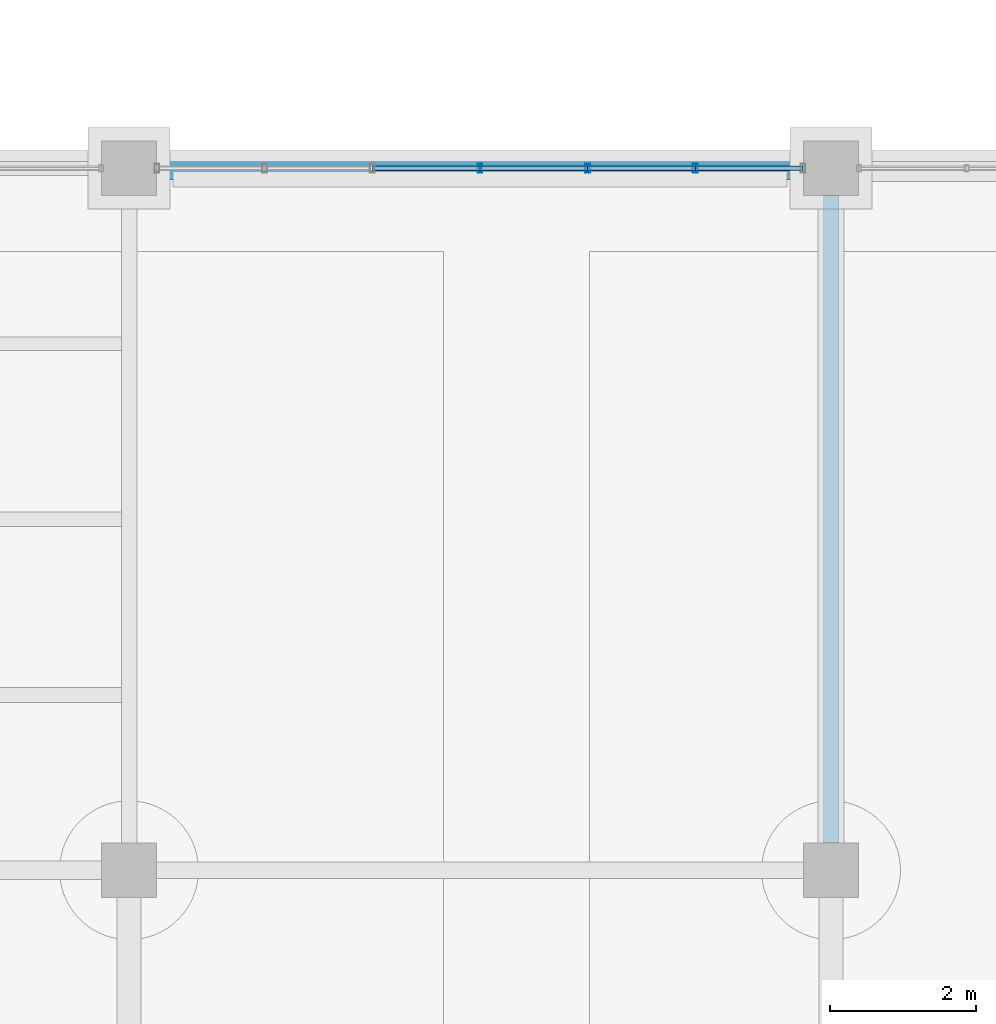
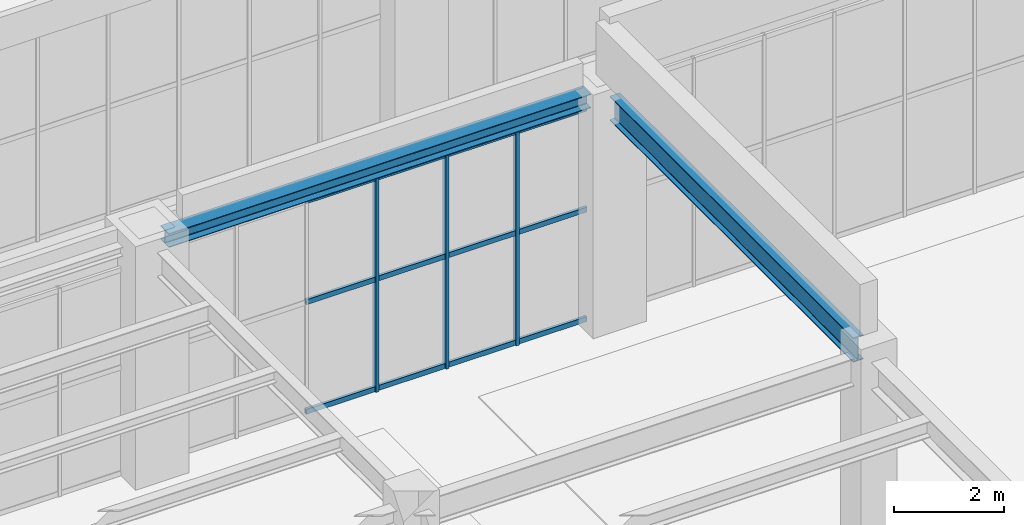
# One storey, part 94 of 164: 15 members, 2 beams, 1 element without a shape of its own.
"""IFC4 building model written with IfcOpenShell, lengths in metres."""

from ifc_helpers import new_model, si_unit, direction, frame, origin, origin_2d, place, context, subcontext, project, spatial, hollow_rectangle, i_section, extrude, material, material_profile, profile_set, type_object, element, aggregate, save


model = new_model("IFC4")

# Units and contexts
model_context = context("Model", 3, precision=1e-05, world=origin(), true_north=direction((0.0, 1.0)))
body_context = subcontext(model_context, "Body", "Model", "MODEL_VIEW")
ifc_project = project(units=[si_unit("LENGTHUNIT", "METRE"), si_unit("AREAUNIT", "SQUARE_METRE"), si_unit("VOLUMEUNIT", "CUBIC_METRE"), si_unit("PLANEANGLEUNIT", "RADIAN"), si_unit("MASSUNIT", "GRAM", prefix="KILO")], contexts=[model_context])

# Site, building, storey
site_placement = place(None, origin())
site = spatial("IfcSite", under=ifc_project, at=site_placement, CompositionType="ELEMENT")
building_placement = place(site_placement, origin())
building = spatial("IfcBuilding", under=site, at=building_placement, Name="Mavantir Sound Aquarium", CompositionType="ELEMENT")
storey_placement = place(building_placement, origin())
storey = spatial("IfcBuildingStorey", under=building, at=storey_placement, Name="L00", CompositionType="ELEMENT", Elevation=0.0)

# Beams
ifc_material_1 = material(Name="Structural Steel ASTM A992 Gr50", Category="steel")
ifc_material_profile_1 = material_profile(ifc_material_1, i_section(OverallWidth=0.304931640625, OverallDepth=0.30810546875, WebThickness=0.010009765625, FlangeThickness=0.015380859375, FilletRadius=0.014892578125, at=origin_2d()), Name="W310X97")
ifc_profile_set_1 = profile_set([ifc_material_profile_1], Name="Structural Steel ASTM A992 Gr50")
beam_type_1 = type_object("IfcBeamType", Name="BM-W310X97-E", PredefinedType="SPANDREL", material=ifc_profile_set_1)
beam_1_placement = place(storey_placement, frame((137.175048828125, 28.800048828125, 4.9619140625), z_axis=(1.0, 0.0, 0.0), x_axis=(0.0, 1.0, 0.0)))
element("IfcBeam", 1, at=beam_1_placement, inside=storey, type_object=beam_type_1, Name="L00 primary beam SS-31A 1085", PredefinedType="SPANDREL", context=body_context, shape_type="SweptSolid", body=[
    extrude(i_section(OverallWidth=0.304931640625, OverallDepth=0.30810546875, WebThickness=0.010009765625, FlangeThickness=0.015380859375, FilletRadius=0.014892578125, at=origin_2d()), origin(), (0.0, 0.0, 1.0), 8.849853515625),
])
ifc_material_profile_2 = material_profile(ifc_material_1, i_section(OverallWidth=0.2119140625, OverallDepth=0.5439453125, WebThickness=0.01318359375, FlangeThickness=0.021240234375, FilletRadius=0.01806640625, at=origin_2d()), Name="W530X123")
ifc_profile_set_2 = profile_set([ifc_material_profile_2], Name="Structural Steel ASTM A992 Gr50")
beam_type_2 = type_object("IfcBeamType", Name="BM-W530X123-I", PredefinedType="BEAM", material=ifc_profile_set_2)
beam_2_placement = place(storey_placement, frame((146.39990234375, 19.574951171875, 4.843994140625), z_axis=(0.0, 1.0, 0.0), x_axis=(-1.0, 0.0, 0.0)))
element("IfcBeam", 2, at=beam_2_placement, inside=storey, type_object=beam_type_2, Name="L00 primary girder SB-53 1100", PredefinedType="BEAM", context=body_context, shape_type="SweptSolid", body=[
    extrude(i_section(OverallWidth=0.2119140625, OverallDepth=0.5439453125, WebThickness=0.01318359375, FlangeThickness=0.021240234375, FilletRadius=0.01806640625, at=origin_2d()), origin(), (0.0, 0.0, 1.0), 8.85009765625),
])

# Curtain wall, members
ifc_material_2 = material(Name="Anodised Marine Aluminium and Low-E Glass", Category="aluminium")
curtain_wall_type = type_object("IfcCurtainWallType", Name="CW-T02", PredefinedType="USERDEFINED", material=ifc_material_2)
curtain_wall_placement = place(storey_placement, origin())
curtain_wall = element("IfcCurtainWall", 3, at=curtain_wall_placement, inside=storey, type_object=curtain_wall_type, Name="L00 unitised curtain wall CW-02 50", ObjectType="UNITISED GLAZING", PredefinedType="USERDEFINED")
ifc_material_3 = material(Name="Anodised Marine Aluminium 6063-T6", Category="aluminium")
ifc_material_profile_3 = material_profile(ifc_material_3, hollow_rectangle(XDim=0.06494140625, YDim=0.1201171875, WallThickness=0.00390625, at=origin_2d()), Name="ALU-MULLION-120X65")
ifc_profile_set_3 = profile_set([ifc_material_profile_3], Name="Anodised Marine Aluminium 6063-T6")
member_type_1 = type_object("IfcMemberType", Name="CW-MUL-120", PredefinedType="MULLION", material=ifc_profile_set_3)
member_1_placement = place(storey_placement, frame((144.544677734375, 28.800048828125, 0.0), z_axis=(0.0, 0.0, 1.0), x_axis=(1.0, 0.0, 0.0)))
member_1 = element("IfcMember", 4, at=member_1_placement, type_object=member_type_1, Name="CW-L00-050 vertical mullion 2", PredefinedType="MULLION", context=body_context, shape_type="SweptSolid", body=[
    extrude(hollow_rectangle(XDim=0.06494140625, YDim=0.1201171875, WallThickness=0.00390625, at=origin_2d()), origin(), (0.0, 0.0, 1.0), 4.778076171875),
])
member_2_placement = place(storey_placement, frame((143.072265625, 28.800048828125, 0.0), z_axis=(0.0, 0.0, 1.0), x_axis=(1.0, 0.0, 0.0)))
member_2 = element("IfcMember", 5, at=member_2_placement, type_object=member_type_1, Name="CW-L00-050 vertical mullion 3", PredefinedType="MULLION", context=body_context, shape_type="SweptSolid", body=[
    extrude(hollow_rectangle(XDim=0.06494140625, YDim=0.1201171875, WallThickness=0.00390625, at=origin_2d()), origin(), (0.0, 0.0, 1.0), 4.778076171875),
])
member_3_placement = place(storey_placement, frame((141.60009765625, 28.800048828125, 0.0), z_axis=(0.0, 0.0, 1.0), x_axis=(1.0, 0.0, 0.0)))
member_3 = element("IfcMember", 6, at=member_3_placement, type_object=member_type_1, Name="CW-L00-050 vertical mullion 4", PredefinedType="MULLION", context=body_context, shape_type="SweptSolid", body=[
    extrude(hollow_rectangle(XDim=0.06494140625, YDim=0.1201171875, WallThickness=0.00390625, at=origin_2d()), origin(), (0.0, 0.0, 1.0), 4.778076171875),
])
ifc_material_profile_4 = material_profile(ifc_material_3, hollow_rectangle(XDim=0.06005859375, YDim=0.110107421875, WallThickness=0.00390625, at=origin_2d()), Name="ALU-TRANSOM-110X60")
ifc_profile_set_4 = profile_set([ifc_material_profile_4], Name="Anodised Marine Aluminium 6063-T6")
member_type_2 = type_object("IfcMemberType", Name="CW-TRN-110", PredefinedType="USERDEFINED", material=ifc_profile_set_4)
member_4_placement = place(storey_placement, frame((146.01708984375, 28.800048828125, 0.054931640625), z_axis=(-1.0, 0.0, 0.0), x_axis=(0.0, -1.0, 0.0)))
member_4 = element("IfcMember", 7, at=member_4_placement, type_object=member_type_2, Name="CW-L00-050 transom 1.1", ObjectType="TRANSOM", PredefinedType="USERDEFINED", context=body_context, shape_type="SweptSolid", body=[
    extrude(hollow_rectangle(XDim=0.06005859375, YDim=0.110107421875, WallThickness=0.00390625, at=origin_2d()), origin(), (0.0, 0.0, 1.0), 1.472412109375),
])
member_5_placement = place(storey_placement, frame((146.01708984375, 28.800048828125, 2.484619140625), z_axis=(-1.0, 0.0, 0.0), x_axis=(0.0, -1.0, 0.0)))
member_5 = element("IfcMember", 8, at=member_5_placement, type_object=member_type_2, Name="CW-L00-050 transom 1.2", ObjectType="TRANSOM", PredefinedType="USERDEFINED", context=body_context, shape_type="SweptSolid", body=[
    extrude(hollow_rectangle(XDim=0.06005859375, YDim=0.110107421875, WallThickness=0.00390625, at=origin_2d()), origin(), (0.0, 0.0, 1.0), 1.472412109375),
])
member_6_placement = place(storey_placement, frame((146.01708984375, 28.800048828125, 4.722900390625), z_axis=(-1.0, 0.0, 0.0), x_axis=(0.0, -1.0, 0.0)))
member_6 = element("IfcMember", 9, at=member_6_placement, type_object=member_type_2, Name="CW-L00-050 transom 1.3", ObjectType="TRANSOM", PredefinedType="USERDEFINED", context=body_context, shape_type="SweptSolid", body=[
    extrude(hollow_rectangle(XDim=0.06005859375, YDim=0.110107421875, WallThickness=0.00390625, at=origin_2d()), origin(), (0.0, 0.0, 1.0), 1.472412109375),
])
member_7_placement = place(storey_placement, frame((144.544677734375, 28.800048828125, 0.054931640625), z_axis=(-1.0, 0.0, 0.0), x_axis=(0.0, -1.0, 0.0)))
member_7 = element("IfcMember", 10, at=member_7_placement, type_object=member_type_2, Name="CW-L00-050 transom 2.1", ObjectType="TRANSOM", PredefinedType="USERDEFINED", context=body_context, shape_type="SweptSolid", body=[
    extrude(hollow_rectangle(XDim=0.06005859375, YDim=0.110107421875, WallThickness=0.00390625, at=origin_2d()), origin(), (0.0, 0.0, 1.0), 1.472412109375),
])
member_8_placement = place(storey_placement, frame((144.544677734375, 28.800048828125, 2.484619140625), z_axis=(-1.0, 0.0, 0.0), x_axis=(0.0, -1.0, 0.0)))
member_8 = element("IfcMember", 11, at=member_8_placement, type_object=member_type_2, Name="CW-L00-050 transom 2.2", ObjectType="TRANSOM", PredefinedType="USERDEFINED", context=body_context, shape_type="SweptSolid", body=[
    extrude(hollow_rectangle(XDim=0.06005859375, YDim=0.110107421875, WallThickness=0.00390625, at=origin_2d()), origin(), (0.0, 0.0, 1.0), 1.472412109375),
])
member_9_placement = place(storey_placement, frame((144.544677734375, 28.800048828125, 4.722900390625), z_axis=(-1.0, 0.0, 0.0), x_axis=(0.0, -1.0, 0.0)))
member_9 = element("IfcMember", 12, at=member_9_placement, type_object=member_type_2, Name="CW-L00-050 transom 2.3", ObjectType="TRANSOM", PredefinedType="USERDEFINED", context=body_context, shape_type="SweptSolid", body=[
    extrude(hollow_rectangle(XDim=0.06005859375, YDim=0.110107421875, WallThickness=0.00390625, at=origin_2d()), origin(), (0.0, 0.0, 1.0), 1.472412109375),
])
member_10_placement = place(storey_placement, frame((143.072265625, 28.800048828125, 0.054931640625), z_axis=(-1.0, 0.0, 0.0), x_axis=(0.0, -1.0, 0.0)))
member_10 = element("IfcMember", 13, at=member_10_placement, type_object=member_type_2, Name="CW-L00-050 transom 3.1", ObjectType="TRANSOM", PredefinedType="USERDEFINED", context=body_context, shape_type="SweptSolid", body=[
    extrude(hollow_rectangle(XDim=0.06005859375, YDim=0.110107421875, WallThickness=0.00390625, at=origin_2d()), origin(), (0.0, 0.0, 1.0), 1.47216796875),
])
member_11_placement = place(storey_placement, frame((143.072265625, 28.800048828125, 2.484619140625), z_axis=(-1.0, 0.0, 0.0), x_axis=(0.0, -1.0, 0.0)))
member_11 = element("IfcMember", 14, at=member_11_placement, type_object=member_type_2, Name="CW-L00-050 transom 3.2", ObjectType="TRANSOM", PredefinedType="USERDEFINED", context=body_context, shape_type="SweptSolid", body=[
    extrude(hollow_rectangle(XDim=0.06005859375, YDim=0.110107421875, WallThickness=0.00390625, at=origin_2d()), origin(), (0.0, 0.0, 1.0), 1.47216796875),
])
member_12_placement = place(storey_placement, frame((143.072265625, 28.800048828125, 4.722900390625), z_axis=(-1.0, 0.0, 0.0), x_axis=(0.0, -1.0, 0.0)))
member_12 = element("IfcMember", 15, at=member_12_placement, type_object=member_type_2, Name="CW-L00-050 transom 3.3", ObjectType="TRANSOM", PredefinedType="USERDEFINED", context=body_context, shape_type="SweptSolid", body=[
    extrude(hollow_rectangle(XDim=0.06005859375, YDim=0.110107421875, WallThickness=0.00390625, at=origin_2d()), origin(), (0.0, 0.0, 1.0), 1.47216796875),
])
member_13_placement = place(storey_placement, frame((141.60009765625, 28.800048828125, 0.054931640625), z_axis=(-1.0, 0.0, 0.0), x_axis=(0.0, -1.0, 0.0)))
member_13 = element("IfcMember", 16, at=member_13_placement, type_object=member_type_2, Name="CW-L00-050 transom 4.1", ObjectType="TRANSOM", PredefinedType="USERDEFINED", context=body_context, shape_type="SweptSolid", body=[
    extrude(hollow_rectangle(XDim=0.06005859375, YDim=0.110107421875, WallThickness=0.00390625, at=origin_2d()), origin(), (0.0, 0.0, 1.0), 1.472412109375),
])
member_14_placement = place(storey_placement, frame((141.60009765625, 28.800048828125, 2.484619140625), z_axis=(-1.0, 0.0, 0.0), x_axis=(0.0, -1.0, 0.0)))
member_14 = element("IfcMember", 17, at=member_14_placement, type_object=member_type_2, Name="CW-L00-050 transom 4.2", ObjectType="TRANSOM", PredefinedType="USERDEFINED", context=body_context, shape_type="SweptSolid", body=[
    extrude(hollow_rectangle(XDim=0.06005859375, YDim=0.110107421875, WallThickness=0.00390625, at=origin_2d()), origin(), (0.0, 0.0, 1.0), 1.472412109375),
])
member_15_placement = place(storey_placement, frame((141.60009765625, 28.800048828125, 4.722900390625), z_axis=(-1.0, 0.0, 0.0), x_axis=(0.0, -1.0, 0.0)))
member_15 = element("IfcMember", 18, at=member_15_placement, type_object=member_type_2, Name="CW-L00-050 transom 4.3", ObjectType="TRANSOM", PredefinedType="USERDEFINED", context=body_context, shape_type="SweptSolid", body=[
    extrude(hollow_rectangle(XDim=0.06005859375, YDim=0.110107421875, WallThickness=0.00390625, at=origin_2d()), origin(), (0.0, 0.0, 1.0), 1.472412109375),
])
aggregate(curtain_wall, [member_1, member_2, member_3, member_4, member_5, member_6, member_7, member_8, member_9, member_10, member_11, member_12, member_13, member_14, member_15])

save(model, "model.ifc")
